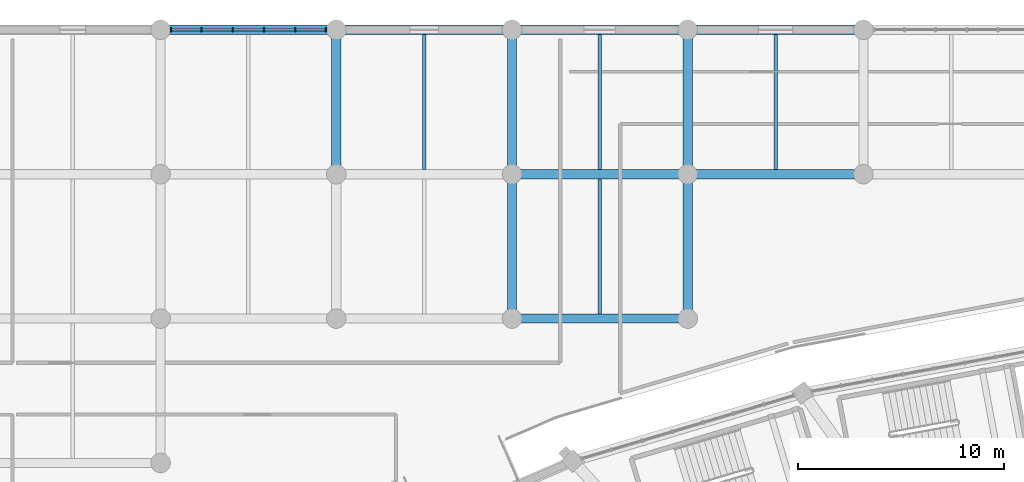
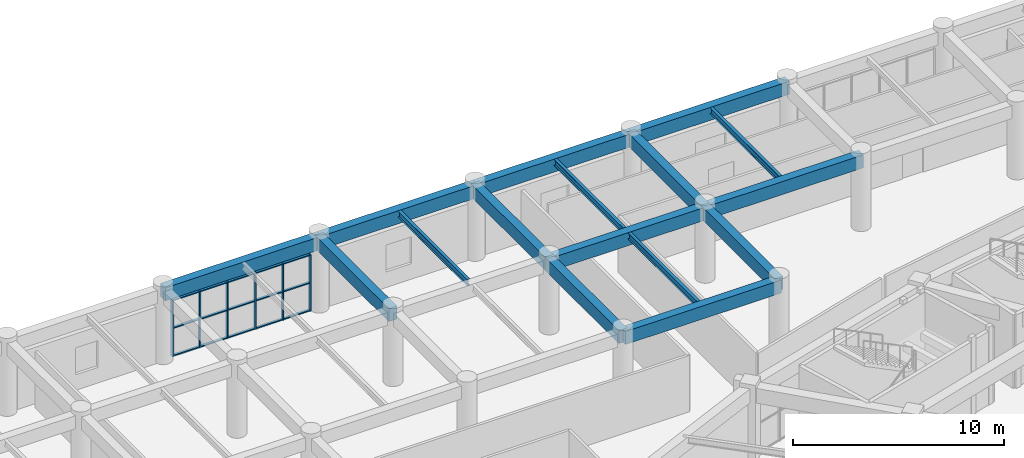
# One storey, part 61 of 145: 21 members, 16 beams, 1 element without a shape of its own.
"""IFC4 building model written with IfcOpenShell, lengths in metres."""

from ifc_helpers import new_model, si_unit, direction, frame, origin, origin_2d, place, context, subcontext, project, spatial, rectangle, i_section, extrude, material, layer, layer_set, material_profile, profile_set, type_object, element, aggregate, save


model = new_model("IFC4")

# Units and contexts
model_context = context("Model", 3, precision=1e-05, world=origin(), true_north=direction((0.0, 1.0)))
body_context = subcontext(model_context, "Body", "Model", "MODEL_VIEW")
ifc_project = project(units=[si_unit("LENGTHUNIT", "METRE"), si_unit("AREAUNIT", "SQUARE_METRE"), si_unit("VOLUMEUNIT", "CUBIC_METRE"), si_unit("PLANEANGLEUNIT", "RADIAN"), si_unit("MASSUNIT", "GRAM", prefix="KILO")], contexts=[model_context])

# Site, building, storey
site_placement = place(None, origin())
site = spatial("IfcSite", under=ifc_project, at=site_placement, CompositionType="ELEMENT")
building_placement = place(site_placement, origin())
building = spatial("IfcBuilding", under=site, at=building_placement, Name="Mphavela Belvedere Stadium", CompositionType="ELEMENT")
storey_placement = place(building_placement, frame((0.0, 0.0, 10.199951171875)))
storey = spatial("IfcBuildingStorey", under=building, at=storey_placement, Name="L02", CompositionType="ELEMENT", Elevation=10.199951171875)

# Beams
ifc_material_1 = material(Name="Steel S355", Category="steel")
ifc_material_profile_1 = material_profile(ifc_material_1, i_section(OverallWidth=0.169921875, OverallDepth=0.360107421875, WebThickness=0.008056640625, FlangeThickness=0.0126953125, at=origin_2d()), Name="IPE 360")
ifc_profile_set_1 = profile_set([ifc_material_profile_1], Name="Steel S355")
beam_type_1 = type_object("IfcBeamType", Name="BM-JOIST-IPE360", PredefinedType="JOIST", material=ifc_profile_set_1)
for number, where, z_axis, x_axis, name in (
    (1, (46.85205078125, 167.22509765625, 4.06005859375), (0.0, 1.0, 0.0), (-1.0, 0.0, 0.0), "North Mast and Ceremonial End Forecourt secondary joist L02 6-7"),
    (2, (55.37060546875, 160.22509765625, 4.06005859375), (0.0, 1.0, 0.0), (-1.0, 0.0, 0.0), "North Mast and Ceremonial End Forecourt secondary joist L02 7-6"),
    (3, (55.37060546875, 167.22509765625, 4.06005859375), (0.0, 1.0, 0.0), (-1.0, 0.0, 0.0), "North Mast and Ceremonial End Forecourt secondary joist L02 7-7"),
    (4, (63.888916015625, 167.22509765625, 4.06005859375), (0.0, 1.0, 0.0), (-1.0, 0.0, 0.0), "North Mast and Ceremonial End Forecourt secondary joist L02 8-7"),
):
    element("IfcBeam", number, at=place(storey_placement, frame(where, z_axis=z_axis, x_axis=x_axis)), inside=storey, type_object=beam_type_1, Name=name, PredefinedType="JOIST", context=body_context, shape_type="SweptSolid", body=[
        extrude(i_section(OverallWidth=0.169921875, OverallDepth=0.360107421875, WebThickness=0.008056640625, FlangeThickness=0.0126953125, at=origin_2d()), origin(), (0.0, 0.0, 1.0), 6.5498046875),
    ])
ifc_material_2 = material(Name="Concrete C40/50", Category="concrete")
ifc_material_profile_2 = material_profile(ifc_material_2, rectangle(XDim=0.449951171875, YDim=0.75, at=origin_2d()), Name="RC 450x750")
ifc_profile_set_2 = profile_set([ifc_material_profile_2], Name="Concrete C40/50")
beam_type_2 = type_object("IfcBeamType", Name="BM-RC450x750", PredefinedType="BEAM", material=ifc_profile_set_2)
beam_1_placement = place(storey_placement, frame((34.073974609375, 174.0, 3.864990234375), z_axis=(1.0, 0.0, 0.0), x_axis=(0.0, 1.0, 0.0)))
element("IfcBeam", 5, at=beam_1_placement, inside=storey, type_object=beam_type_2, Name="North Mast and Ceremonial End Forecourt entablature beam X L02 5-8", PredefinedType="BEAM", context=body_context, shape_type="SweptSolid", body=[
    extrude(rectangle(XDim=0.449951171875, YDim=0.75, at=origin_2d()), origin(), (0.0, 0.0, 1.0), 8.51904296875),
])
beam_2_placement = place(storey_placement, frame((42.593017578125, 167.0, 3.864990234375), z_axis=(0.0, 1.0, 0.0), x_axis=(-1.0, 0.0, 0.0)))
element("IfcBeam", 6, at=beam_2_placement, inside=storey, type_object=beam_type_2, Name="North Mast and Ceremonial End Forecourt entablature beam Y L02 6-7", PredefinedType="BEAM", context=body_context, shape_type="SweptSolid", body=[
    extrude(rectangle(XDim=0.449951171875, YDim=0.75, at=origin_2d()), origin(), (0.0, 0.0, 1.0), 7.0),
])
beam_3_placement = place(storey_placement, frame((42.593017578125, 174.0, 3.864990234375), z_axis=(1.0, 0.0, 0.0), x_axis=(0.0, 1.0, 0.0)))
element("IfcBeam", 7, at=beam_3_placement, inside=storey, type_object=beam_type_2, Name="North Mast and Ceremonial End Forecourt entablature beam X L02 6-8", PredefinedType="BEAM", context=body_context, shape_type="SweptSolid", body=[
    extrude(rectangle(XDim=0.449951171875, YDim=0.75, at=origin_2d()), origin(), (0.0, 0.0, 1.0), 8.51806640625),
])
beam_4_placement = place(storey_placement, frame((51.111083984375, 160.0, 3.864990234375), z_axis=(1.0, 0.0, 0.0), x_axis=(0.0, 1.0, 0.0)))
element("IfcBeam", 8, at=beam_4_placement, inside=storey, type_object=beam_type_2, Name="North Mast and Ceremonial End Forecourt entablature beam X L02 7-6", PredefinedType="BEAM", context=body_context, shape_type="SweptSolid", body=[
    extrude(rectangle(XDim=0.449951171875, YDim=0.75, at=origin_2d()), origin(), (0.0, 0.0, 1.0), 8.518798828125),
])
beam_5_placement = place(storey_placement, frame((51.111083984375, 160.0, 3.864990234375), z_axis=(0.0, 1.0, 0.0), x_axis=(-1.0, 0.0, 0.0)))
element("IfcBeam", 9, at=beam_5_placement, inside=storey, type_object=beam_type_2, Name="North Mast and Ceremonial End Forecourt entablature beam Y L02 7-6", PredefinedType="BEAM", context=body_context, shape_type="SweptSolid", body=[
    extrude(rectangle(XDim=0.449951171875, YDim=0.75, at=origin_2d()), origin(), (0.0, 0.0, 1.0), 7.0),
])
beam_6_placement = place(storey_placement, frame((51.111083984375, 167.0, 3.864990234375), z_axis=(1.0, 0.0, 0.0), x_axis=(0.0, 1.0, 0.0)))
element("IfcBeam", 10, at=beam_6_placement, inside=storey, type_object=beam_type_2, Name="North Mast and Ceremonial End Forecourt entablature beam X L02 7-7", PredefinedType="BEAM", context=body_context, shape_type="SweptSolid", body=[
    extrude(rectangle(XDim=0.449951171875, YDim=0.75, at=origin_2d()), origin(), (0.0, 0.0, 1.0), 8.518798828125),
])
beam_7_placement = place(storey_placement, frame((51.111083984375, 167.0, 3.864990234375), z_axis=(0.0, 1.0, 0.0), x_axis=(-1.0, 0.0, 0.0)))
element("IfcBeam", 11, at=beam_7_placement, inside=storey, type_object=beam_type_2, Name="North Mast and Ceremonial End Forecourt entablature beam Y L02 7-7", PredefinedType="BEAM", context=body_context, shape_type="SweptSolid", body=[
    extrude(rectangle(XDim=0.449951171875, YDim=0.75, at=origin_2d()), origin(), (0.0, 0.0, 1.0), 7.0),
])
beam_8_placement = place(storey_placement, frame((51.111083984375, 174.0, 3.864990234375), z_axis=(1.0, 0.0, 0.0), x_axis=(0.0, 1.0, 0.0)))
element("IfcBeam", 12, at=beam_8_placement, inside=storey, type_object=beam_type_2, Name="North Mast and Ceremonial End Forecourt entablature beam X L02 7-8", PredefinedType="BEAM", context=body_context, shape_type="SweptSolid", body=[
    extrude(rectangle(XDim=0.449951171875, YDim=0.75, at=origin_2d()), origin(), (0.0, 0.0, 1.0), 8.518798828125),
])
beam_9_placement = place(storey_placement, frame((59.6298828125, 160.0, 3.864990234375), z_axis=(0.0, 1.0, 0.0), x_axis=(-1.0, 0.0, 0.0)))
element("IfcBeam", 13, at=beam_9_placement, inside=storey, type_object=beam_type_2, Name="North Mast and Ceremonial End Forecourt entablature beam Y L02 8-6", PredefinedType="BEAM", context=body_context, shape_type="SweptSolid", body=[
    extrude(rectangle(XDim=0.449951171875, YDim=0.75, at=origin_2d()), origin(), (0.0, 0.0, 1.0), 7.0),
])
beam_10_placement = place(storey_placement, frame((59.6298828125, 167.0, 3.864990234375), z_axis=(1.0, 0.0, 0.0), x_axis=(0.0, 1.0, 0.0)))
element("IfcBeam", 14, at=beam_10_placement, inside=storey, type_object=beam_type_2, Name="North Mast and Ceremonial End Forecourt entablature beam X L02 8-7", PredefinedType="BEAM", context=body_context, shape_type="SweptSolid", body=[
    extrude(rectangle(XDim=0.449951171875, YDim=0.75, at=origin_2d()), origin(), (0.0, 0.0, 1.0), 8.51806640625),
])
beam_11_placement = place(storey_placement, frame((59.6298828125, 167.0, 3.864990234375), z_axis=(0.0, 1.0, 0.0), x_axis=(-1.0, 0.0, 0.0)))
element("IfcBeam", 15, at=beam_11_placement, inside=storey, type_object=beam_type_2, Name="North Mast and Ceremonial End Forecourt entablature beam Y L02 8-7", PredefinedType="BEAM", context=body_context, shape_type="SweptSolid", body=[
    extrude(rectangle(XDim=0.449951171875, YDim=0.75, at=origin_2d()), origin(), (0.0, 0.0, 1.0), 7.0),
])
beam_12_placement = place(storey_placement, frame((59.6298828125, 174.0, 3.864990234375), z_axis=(1.0, 0.0, 0.0), x_axis=(0.0, 1.0, 0.0)))
element("IfcBeam", 16, at=beam_12_placement, inside=storey, type_object=beam_type_2, Name="North Mast and Ceremonial End Forecourt entablature beam X L02 8-8", PredefinedType="BEAM", context=body_context, shape_type="SweptSolid", body=[
    extrude(rectangle(XDim=0.449951171875, YDim=0.75, at=origin_2d()), origin(), (0.0, 0.0, 1.0), 8.51806640625),
])

# Curtain wall, members
ifc_material_3 = material(Name="Anodised bronze unitised curtain wall framing")
ifc_layer = layer(ifc_material_3, 0.195068359375)
ifc_layer_set = layer_set([ifc_layer], Name="Anodised bronze unitised curtain wall framing")
curtain_wall_type = type_object("IfcCurtainWallType", Name="CW-UNIT-04", PredefinedType="USERDEFINED", material=ifc_layer_set)
curtain_wall_placement = place(storey_placement, origin())
curtain_wall = element("IfcCurtainWall", 17, at=curtain_wall_placement, inside=storey, type_object=curtain_wall_type, Name="North Mast and Ceremonial End Forecourt gallery curtain wall L02-05", ObjectType="UNITISED CURTAIN WALL", PredefinedType="USERDEFINED")
ifc_material_4 = material(Name="Anodised bronze extruded aluminium", Category="aluminium")
ifc_material_profile_3 = material_profile(ifc_material_4, rectangle(XDim=0.179931640625, YDim=0.06494140625, at=origin_2d()), Name="CW-MUL 180x65")
ifc_profile_set_3 = profile_set([ifc_material_profile_3], Name="Anodised bronze extruded aluminium")
member_type_1 = type_object("IfcMemberType", Name="CWM-180x65", PredefinedType="MULLION", material=ifc_profile_set_3)
member_1_placement = place(storey_placement, frame((34.57958984375, 174.0, 0.0), z_axis=(0.0, 0.0, 1.0), x_axis=(0.0, 1.0, 0.0)))
member_1 = element("IfcMember", 18, at=member_1_placement, type_object=member_type_1, Name="CW-04 mullion 1", PredefinedType="MULLION", context=body_context, shape_type="SweptSolid", body=[
    extrude(rectangle(XDim=0.179931640625, YDim=0.06494140625, at=origin_2d()), origin(), (0.0, 0.0, 1.0), 3.260009765625),
])
member_2_placement = place(storey_placement, frame((36.0615234375, 174.0, 0.0), z_axis=(0.0, 0.0, 1.0), x_axis=(0.0, 1.0, 0.0)))
member_2 = element("IfcMember", 19, at=member_2_placement, type_object=member_type_1, Name="CW-04 mullion 2", PredefinedType="MULLION", context=body_context, shape_type="SweptSolid", body=[
    extrude(rectangle(XDim=0.179931640625, YDim=0.06494140625, at=origin_2d()), origin(), (0.0, 0.0, 1.0), 3.260009765625),
])
member_3_placement = place(storey_placement, frame((37.576171875, 174.0, 0.0), z_axis=(0.0, 0.0, 1.0), x_axis=(0.0, 1.0, 0.0)))
member_3 = element("IfcMember", 20, at=member_3_placement, type_object=member_type_1, Name="CW-04 mullion 3", PredefinedType="MULLION", context=body_context, shape_type="SweptSolid", body=[
    extrude(rectangle(XDim=0.179931640625, YDim=0.06494140625, at=origin_2d()), origin(), (0.0, 0.0, 1.0), 3.260009765625),
])
member_4_placement = place(storey_placement, frame((39.0908203125, 174.0, 0.0), z_axis=(0.0, 0.0, 1.0), x_axis=(0.0, 1.0, 0.0)))
member_4 = element("IfcMember", 21, at=member_4_placement, type_object=member_type_1, Name="CW-04 mullion 4", PredefinedType="MULLION", context=body_context, shape_type="SweptSolid", body=[
    extrude(rectangle(XDim=0.179931640625, YDim=0.06494140625, at=origin_2d()), origin(), (0.0, 0.0, 1.0), 3.260009765625),
])
member_5_placement = place(storey_placement, frame((40.60546875, 174.0, 0.0), z_axis=(0.0, 0.0, 1.0), x_axis=(0.0, 1.0, 0.0)))
member_5 = element("IfcMember", 22, at=member_5_placement, type_object=member_type_1, Name="CW-04 mullion 5", PredefinedType="MULLION", context=body_context, shape_type="SweptSolid", body=[
    extrude(rectangle(XDim=0.179931640625, YDim=0.06494140625, at=origin_2d()), origin(), (0.0, 0.0, 1.0), 3.260009765625),
])
member_6_placement = place(storey_placement, frame((42.08740234375, 174.0, 0.0), z_axis=(0.0, 0.0, 1.0), x_axis=(0.0, 1.0, 0.0)))
member_6 = element("IfcMember", 23, at=member_6_placement, type_object=member_type_1, Name="CW-04 mullion 6", PredefinedType="MULLION", context=body_context, shape_type="SweptSolid", body=[
    extrude(rectangle(XDim=0.179931640625, YDim=0.06494140625, at=origin_2d()), origin(), (0.0, 0.0, 1.0), 3.260009765625),
])
ifc_material_5 = material(Name="Anodised bronze extruded aluminium", Category="aluminium")
ifc_material_profile_4 = material_profile(ifc_material_5, rectangle(XDim=0.139892578125, YDim=0.06005859375, at=origin_2d()), Name="CW-TRN 140x60")
ifc_profile_set_4 = profile_set([ifc_material_profile_4], Name="Anodised bronze extruded aluminium")
member_type_2 = type_object("IfcMemberType", Name="CWT-140x60", PredefinedType="USERDEFINED", material=ifc_profile_set_4)
member_7_placement = place(storey_placement, frame((34.612060546875, 174.0, 0.030029296875), z_axis=(1.0, 0.0, 0.0), x_axis=(0.0, 1.0, 0.0)))
member_7 = element("IfcMember", 24, at=member_7_placement, type_object=member_type_2, Name="CW-04 transom 1.1", ObjectType="TRANSOM", PredefinedType="USERDEFINED", context=body_context, shape_type="SweptSolid", body=[
    extrude(rectangle(XDim=0.139892578125, YDim=0.06005859375, at=origin_2d()), origin(), (0.0, 0.0, 1.0), 1.4169921875),
])
member_8_placement = place(storey_placement, frame((34.612060546875, 174.0, 1.630126953125), z_axis=(1.0, 0.0, 0.0), x_axis=(0.0, 1.0, 0.0)))
member_8 = element("IfcMember", 25, at=member_8_placement, type_object=member_type_2, Name="CW-04 transom 1.2", ObjectType="TRANSOM", PredefinedType="USERDEFINED", context=body_context, shape_type="SweptSolid", body=[
    extrude(rectangle(XDim=0.139892578125, YDim=0.06005859375, at=origin_2d()), origin(), (0.0, 0.0, 1.0), 1.4169921875),
])
member_9_placement = place(storey_placement, frame((34.612060546875, 174.0, 3.22998046875), z_axis=(1.0, 0.0, 0.0), x_axis=(0.0, 1.0, 0.0)))
member_9 = element("IfcMember", 26, at=member_9_placement, type_object=member_type_2, Name="CW-04 transom 1.3", ObjectType="TRANSOM", PredefinedType="USERDEFINED", context=body_context, shape_type="SweptSolid", body=[
    extrude(rectangle(XDim=0.139892578125, YDim=0.06005859375, at=origin_2d()), origin(), (0.0, 0.0, 1.0), 1.4169921875),
])
member_10_placement = place(storey_placement, frame((36.093994140625, 174.0, 0.030029296875), z_axis=(1.0, 0.0, 0.0), x_axis=(0.0, 1.0, 0.0)))
member_10 = element("IfcMember", 27, at=member_10_placement, type_object=member_type_2, Name="CW-04 transom 2.1", ObjectType="TRANSOM", PredefinedType="USERDEFINED", context=body_context, shape_type="SweptSolid", body=[
    extrude(rectangle(XDim=0.139892578125, YDim=0.06005859375, at=origin_2d()), origin(), (0.0, 0.0, 1.0), 1.44970703125),
])
member_11_placement = place(storey_placement, frame((36.093994140625, 174.0, 1.630126953125), z_axis=(1.0, 0.0, 0.0), x_axis=(0.0, 1.0, 0.0)))
member_11 = element("IfcMember", 28, at=member_11_placement, type_object=member_type_2, Name="CW-04 transom 2.2", ObjectType="TRANSOM", PredefinedType="USERDEFINED", context=body_context, shape_type="SweptSolid", body=[
    extrude(rectangle(XDim=0.139892578125, YDim=0.06005859375, at=origin_2d()), origin(), (0.0, 0.0, 1.0), 1.44970703125),
])
member_12_placement = place(storey_placement, frame((36.093994140625, 174.0, 3.22998046875), z_axis=(1.0, 0.0, 0.0), x_axis=(0.0, 1.0, 0.0)))
member_12 = element("IfcMember", 29, at=member_12_placement, type_object=member_type_2, Name="CW-04 transom 2.3", ObjectType="TRANSOM", PredefinedType="USERDEFINED", context=body_context, shape_type="SweptSolid", body=[
    extrude(rectangle(XDim=0.139892578125, YDim=0.06005859375, at=origin_2d()), origin(), (0.0, 0.0, 1.0), 1.44970703125),
])
member_13_placement = place(storey_placement, frame((37.608642578125, 174.0, 0.030029296875), z_axis=(1.0, 0.0, 0.0), x_axis=(0.0, 1.0, 0.0)))
member_13 = element("IfcMember", 30, at=member_13_placement, type_object=member_type_2, Name="CW-04 transom 3.1", ObjectType="TRANSOM", PredefinedType="USERDEFINED", context=body_context, shape_type="SweptSolid", body=[
    extrude(rectangle(XDim=0.139892578125, YDim=0.06005859375, at=origin_2d()), origin(), (0.0, 0.0, 1.0), 1.44970703125),
])
member_14_placement = place(storey_placement, frame((37.608642578125, 174.0, 1.630126953125), z_axis=(1.0, 0.0, 0.0), x_axis=(0.0, 1.0, 0.0)))
member_14 = element("IfcMember", 31, at=member_14_placement, type_object=member_type_2, Name="CW-04 transom 3.2", ObjectType="TRANSOM", PredefinedType="USERDEFINED", context=body_context, shape_type="SweptSolid", body=[
    extrude(rectangle(XDim=0.139892578125, YDim=0.06005859375, at=origin_2d()), origin(), (0.0, 0.0, 1.0), 1.44970703125),
])
member_15_placement = place(storey_placement, frame((37.608642578125, 174.0, 3.22998046875), z_axis=(1.0, 0.0, 0.0), x_axis=(0.0, 1.0, 0.0)))
member_15 = element("IfcMember", 32, at=member_15_placement, type_object=member_type_2, Name="CW-04 transom 3.3", ObjectType="TRANSOM", PredefinedType="USERDEFINED", context=body_context, shape_type="SweptSolid", body=[
    extrude(rectangle(XDim=0.139892578125, YDim=0.06005859375, at=origin_2d()), origin(), (0.0, 0.0, 1.0), 1.44970703125),
])
member_16_placement = place(storey_placement, frame((39.123291015625, 174.0, 0.030029296875), z_axis=(1.0, 0.0, 0.0), x_axis=(0.0, 1.0, 0.0)))
member_16 = element("IfcMember", 33, at=member_16_placement, type_object=member_type_2, Name="CW-04 transom 4.1", ObjectType="TRANSOM", PredefinedType="USERDEFINED", context=body_context, shape_type="SweptSolid", body=[
    extrude(rectangle(XDim=0.139892578125, YDim=0.06005859375, at=origin_2d()), origin(), (0.0, 0.0, 1.0), 1.44970703125),
])
member_17_placement = place(storey_placement, frame((39.123291015625, 174.0, 1.630126953125), z_axis=(1.0, 0.0, 0.0), x_axis=(0.0, 1.0, 0.0)))
member_17 = element("IfcMember", 34, at=member_17_placement, type_object=member_type_2, Name="CW-04 transom 4.2", ObjectType="TRANSOM", PredefinedType="USERDEFINED", context=body_context, shape_type="SweptSolid", body=[
    extrude(rectangle(XDim=0.139892578125, YDim=0.06005859375, at=origin_2d()), origin(), (0.0, 0.0, 1.0), 1.44970703125),
])
member_18_placement = place(storey_placement, frame((39.123291015625, 174.0, 3.22998046875), z_axis=(1.0, 0.0, 0.0), x_axis=(0.0, 1.0, 0.0)))
member_18 = element("IfcMember", 35, at=member_18_placement, type_object=member_type_2, Name="CW-04 transom 4.3", ObjectType="TRANSOM", PredefinedType="USERDEFINED", context=body_context, shape_type="SweptSolid", body=[
    extrude(rectangle(XDim=0.139892578125, YDim=0.06005859375, at=origin_2d()), origin(), (0.0, 0.0, 1.0), 1.44970703125),
])
member_19_placement = place(storey_placement, frame((40.637939453125, 174.0, 0.030029296875), z_axis=(1.0, 0.0, 0.0), x_axis=(0.0, 1.0, 0.0)))
member_19 = element("IfcMember", 36, at=member_19_placement, type_object=member_type_2, Name="CW-04 transom 5.1", ObjectType="TRANSOM", PredefinedType="USERDEFINED", context=body_context, shape_type="SweptSolid", body=[
    extrude(rectangle(XDim=0.139892578125, YDim=0.06005859375, at=origin_2d()), origin(), (0.0, 0.0, 1.0), 1.4169921875),
])
member_20_placement = place(storey_placement, frame((40.637939453125, 174.0, 1.630126953125), z_axis=(1.0, 0.0, 0.0), x_axis=(0.0, 1.0, 0.0)))
member_20 = element("IfcMember", 37, at=member_20_placement, type_object=member_type_2, Name="CW-04 transom 5.2", ObjectType="TRANSOM", PredefinedType="USERDEFINED", context=body_context, shape_type="SweptSolid", body=[
    extrude(rectangle(XDim=0.139892578125, YDim=0.06005859375, at=origin_2d()), origin(), (0.0, 0.0, 1.0), 1.4169921875),
])
member_21_placement = place(storey_placement, frame((40.637939453125, 174.0, 3.22998046875), z_axis=(1.0, 0.0, 0.0), x_axis=(0.0, 1.0, 0.0)))
member_21 = element("IfcMember", 38, at=member_21_placement, type_object=member_type_2, Name="CW-04 transom 5.3", ObjectType="TRANSOM", PredefinedType="USERDEFINED", context=body_context, shape_type="SweptSolid", body=[
    extrude(rectangle(XDim=0.139892578125, YDim=0.06005859375, at=origin_2d()), origin(), (0.0, 0.0, 1.0), 1.4169921875),
])
aggregate(curtain_wall, [member_1, member_2, member_3, member_4, member_5, member_6, member_7, member_8, member_9, member_10, member_11, member_12, member_13, member_14, member_15, member_16, member_17, member_18, member_19, member_20, member_21])

save(model, "model.ifc")
